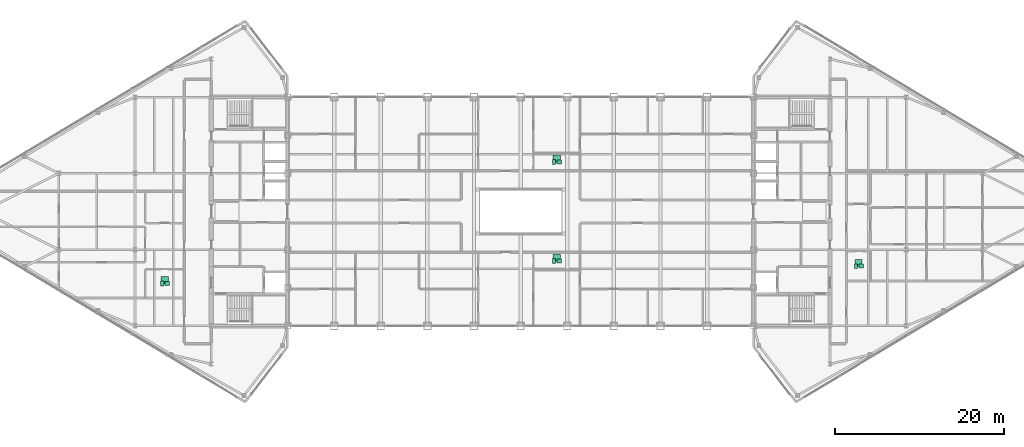
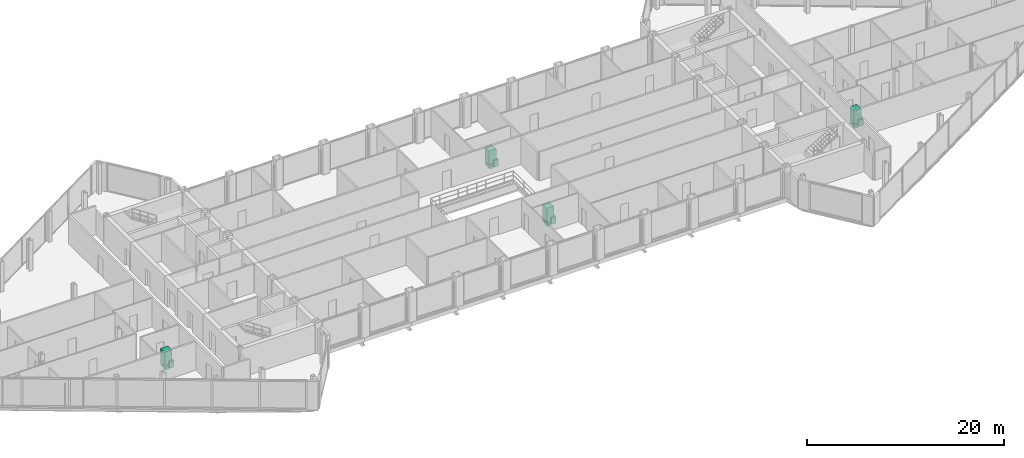
# One storey, part 29 of 29: 12 sanitary terminals.
"""IFC4 building model written with IfcOpenShell, lengths in metres."""

from ifc_helpers import new_model, si_unit, direction, frame, origin, origin_2d, place, context, subcontext, project, spatial, rectangle, extrude, source, transform, mapped, material, type_object, type_shapes, element, save


model = new_model("IFC4")

# Units and contexts
model_context = context("Model", 3, precision=1e-05, world=origin(), true_north=direction((0.0, 1.0)))
body_context = subcontext(model_context, "Body", "Model", "MODEL_VIEW")
ifc_project = project(units=[si_unit("LENGTHUNIT", "METRE"), si_unit("AREAUNIT", "SQUARE_METRE"), si_unit("VOLUMEUNIT", "CUBIC_METRE"), si_unit("PLANEANGLEUNIT", "RADIAN"), si_unit("MASSUNIT", "GRAM", prefix="KILO")], contexts=[model_context])

# Site, building, storey
site_placement = place(None, origin())
site = spatial("IfcSite", under=ifc_project, at=site_placement, CompositionType="ELEMENT")
building_placement = place(site_placement, origin())
building = spatial("IfcBuilding", under=site, at=building_placement, Name="Seokmaru Belvedere", CompositionType="ELEMENT")
storey_placement = place(building_placement, frame((0.0, 0.0, 250.64990234375)))
storey = spatial("IfcBuildingStorey", under=building, at=storey_placement, Name="L66", CompositionType="ELEMENT", Elevation=250.64990234375)

# Sanitary terminals
ifc_material_1 = material(Name="Vitreous China Sanitaryware")
sanitary_terminal_type_1 = type_object("IfcSanitaryTerminalType", Name="Wall-Hung Vitreous China WC Pan", PredefinedType="TOILETPAN", material=ifc_material_1)
shared_shape_1 = source(origin(), body_context, "Body", "SweptSolid", [
    extrude(rectangle(XDim=0.3798828125, YDim=0.56005859375, at=origin_2d()), origin(), (0.0, 0.0, 1.0), 0.419921875),
])
type_shapes(sanitary_terminal_type_1, [shared_shape_1])
for number, where, z_axis, x_axis, name in (
    (1, (-42.300048828125, -8.5, 0.000244140625), (0.0, 0.0, 1.0), (1.0, 0.0, 0.0), "L66 Vitreous China WC 0293"),
    (2, (39.574951171875, -6.446044921875, 0.000244140625), (0.0, 0.0, 1.0), (1.0, 0.0, 0.0), "L66 Vitreous China WC 0294"),
    (3, (3.949951171875, -5.85009765625, 0.000244140625), (0.0, 0.0, 1.0), (1.0, 0.0, 0.0), "L66 Vitreous China WC 0295"),
    (4, (3.949951171875, 5.85009765625, 0.000244140625), (0.0, 0.0, 1.0), (1.0, 0.0, 0.0), "L66 Vitreous China WC 0296"),
):
    element("IfcSanitaryTerminal", number, at=place(storey_placement, frame(where, z_axis=z_axis, x_axis=x_axis)), inside=storey, type_object=sanitary_terminal_type_1, Name=name, PredefinedType="TOILETPAN", context=body_context, shape_type="MappedRepresentation", body=[
        mapped(shared_shape_1, transform((0.0, 0.0, 0.0), scale=1.0)),
    ])
sanitary_terminal_type_2 = type_object("IfcSanitaryTerminalType", Name="Countertop Ceramic Washhand Basin", PredefinedType="WASHHANDBASIN", material=ifc_material_1)
shared_shape_2 = source(origin(), body_context, "Body", "SweptSolid", [
    extrude(rectangle(XDim=0.550048828125, YDim=0.449951171875, at=origin_2d()), origin(), (0.0, 0.0, 1.0), 0.820068359375),
])
type_shapes(sanitary_terminal_type_2, [shared_shape_2])
for number, where, z_axis, x_axis, name in (
    (5, (-41.699951171875, -8.5, 0.0), (0.0, 0.0, 1.0), (1.0, 0.0, 0.0), "L66 Ceramic Washhand Basin 0293"),
    (6, (40.175048828125, -6.446044921875, 0.0), (0.0, 0.0, 1.0), (1.0, 0.0, 0.0), "L66 Ceramic Washhand Basin 0294"),
    (7, (4.550048828125, -5.85009765625, 0.0), (0.0, 0.0, 1.0), (1.0, 0.0, 0.0), "L66 Ceramic Washhand Basin 0295"),
    (8, (4.550048828125, 5.85009765625, 0.0), (0.0, 0.0, 1.0), (1.0, 0.0, 0.0), "L66 Ceramic Washhand Basin 0296"),
):
    element("IfcSanitaryTerminal", number, at=place(storey_placement, frame(where, z_axis=z_axis, x_axis=x_axis)), inside=storey, type_object=sanitary_terminal_type_2, Name=name, PredefinedType="WASHHANDBASIN", context=body_context, shape_type="MappedRepresentation", body=[
        mapped(shared_shape_2, transform((0.0, 0.0, 0.0), scale=1.0)),
    ])
ifc_material_2 = material(Name="Stainless Steel 316", Category="steel")
sanitary_terminal_type_3 = type_object("IfcSanitaryTerminalType", Name="Walk-In Thermostatic Rain Shower Enclosure", PredefinedType="SHOWER", material=ifc_material_2)
shared_shape_3 = source(origin(), body_context, "Body", "SweptSolid", [
    extrude(rectangle(XDim=0.85009765625, YDim=0.85009765625, at=origin_2d()), origin(), (0.0, 0.0, 1.0), 2.050048828125),
])
type_shapes(sanitary_terminal_type_3, [shared_shape_3])
for number, where, z_axis, x_axis, name in (
    (9, (-42.0, -8.1201171875, 0.0), (0.0, 0.0, 1.0), (1.0, 0.0, 0.0), "L66 Walk-In Shower 0293"),
    (10, (39.875, -6.06591796875, 0.0), (0.0, 0.0, 1.0), (1.0, 0.0, 0.0), "L66 Walk-In Shower 0294"),
    (11, (4.25, -5.469970703125, 0.0), (0.0, 0.0, 1.0), (1.0, 0.0, 0.0), "L66 Walk-In Shower 0295"),
    (12, (4.25, 6.22998046875, 0.0), (0.0, 0.0, 1.0), (1.0, 0.0, 0.0), "L66 Walk-In Shower 0296"),
):
    element("IfcSanitaryTerminal", number, at=place(storey_placement, frame(where, z_axis=z_axis, x_axis=x_axis)), inside=storey, type_object=sanitary_terminal_type_3, Name=name, PredefinedType="SHOWER", context=body_context, shape_type="MappedRepresentation", body=[
        mapped(shared_shape_3, transform((0.0, 0.0, 0.0), scale=1.0)),
    ])

save(model, "model.ifc")
